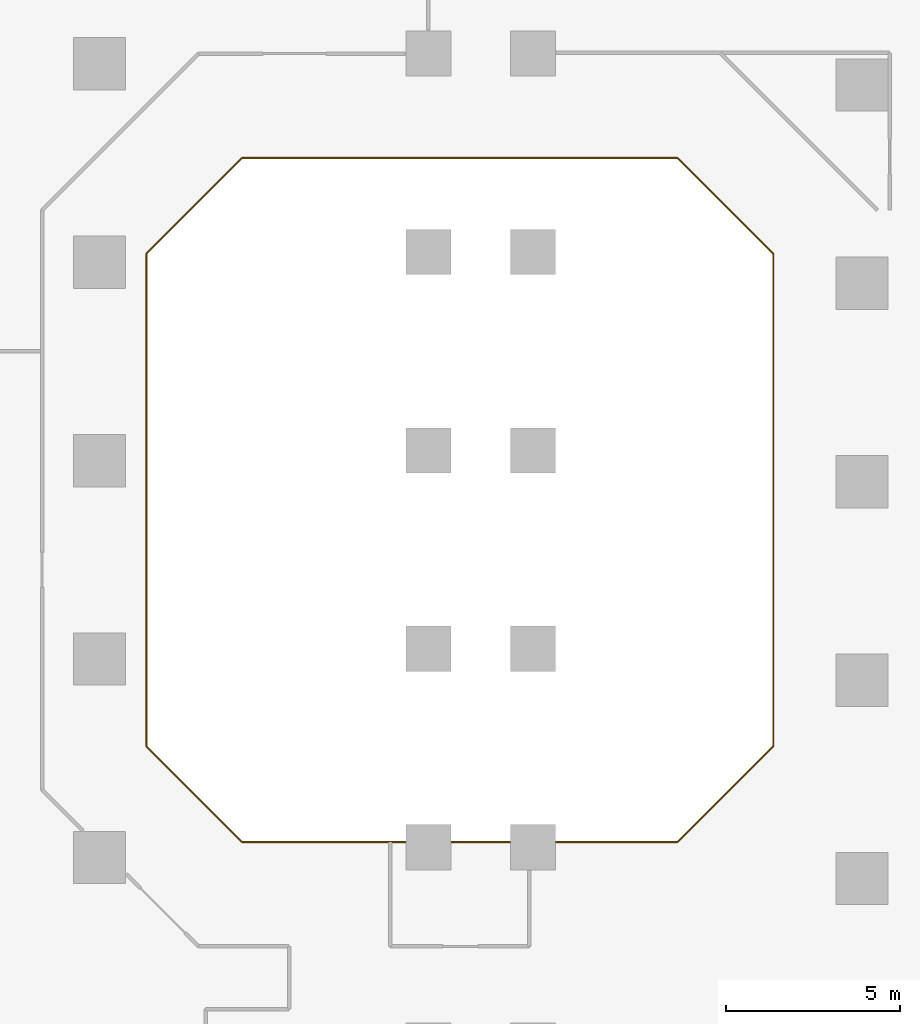
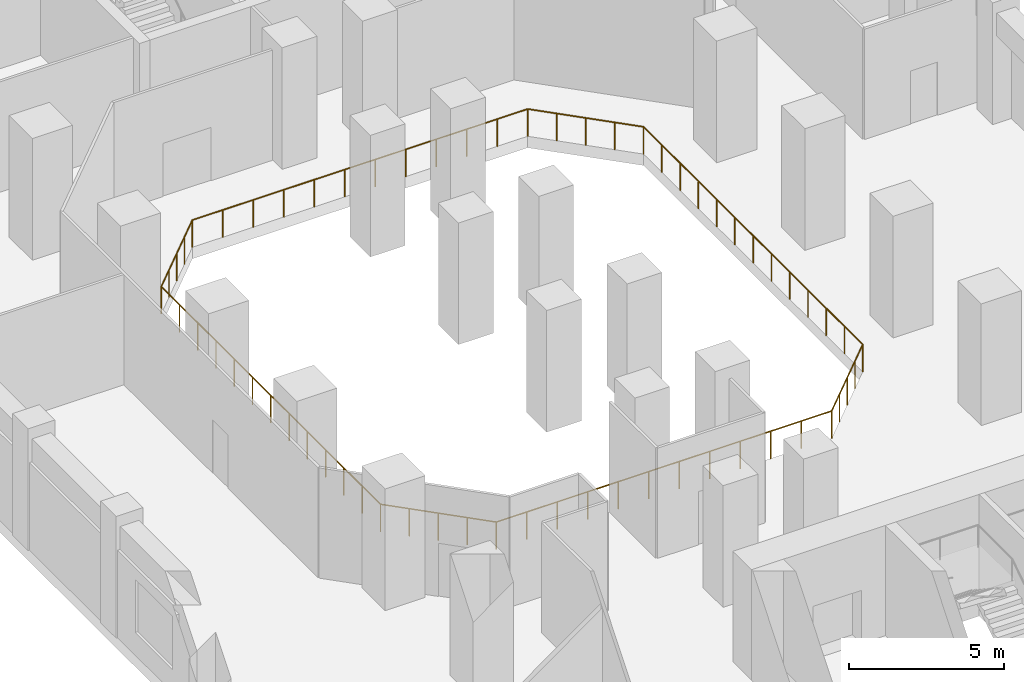
# One storey, part 14 of 16: 1 railing.
"""IFC4 building model written with IfcOpenShell, lengths in metres."""

import ifcopenshell
import ifcopenshell.guid

model = None  # the IFC model being written
_history = None  # IfcOwnerHistory: only IFC2X3 demands one
_inside = {}  # id of a spatial element -> (the spatial element, [elements in it])
_under = {}  # id of a project, library or spatial element -> (it, [spatial elements below it])
_declared = {}  # id of a project -> (the project, [libraries it declares])
_typed = {}  # id of a type object -> (the type object, [elements of that type])
_made_of = {}  # id of a material, layer set ... -> (it, [elements and type objects made of it])


def new_model(schema):
    """Start an empty IFC model of exactly this schema.

    Asked for "IFC4X3", IfcOpenShell would pick the latest addendum, in which some entities
    have other attributes; the version numbers below select the first issue.
    IFC2X3 requires an IfcOwnerHistory on every rooted entity: one is made here for all.
    """
    global model, _history
    if schema == "IFC4X3":
        model = ifcopenshell.file(schema_version=(4, 3, 0, 0))
    else:
        model = ifcopenshell.file(schema=schema)
    _inside.clear()
    _under.clear()
    _declared.clear()
    _typed.clear()
    _made_of.clear()
    _history = None
    if model.schema == "IFC2X3":
        org = make("IfcOrganization", Name="unknown")
        user = make(
            "IfcPersonAndOrganization",
            ThePerson=make("IfcPerson", FamilyName="unknown"),
            TheOrganization=org,
        )
        app = make(
            "IfcApplication",
            ApplicationDeveloper=org,
            Version="unknown",
            ApplicationFullName="unknown",
            ApplicationIdentifier="unknown",
        )
        _history = make(
            "IfcOwnerHistory",
            OwningUser=user,
            OwningApplication=app,
            ChangeAction="ADDED",
            CreationDate=0,
        )
    return model


def make(cls, **values):
    """One entity of the class cls with the attributes given. An attribute that is None is left unset."""
    return model.create_entity(
        cls, **{name: value for name, value in values.items() if value is not None}
    )


def rooted(cls, **values):
    """An entity with a GlobalId (a new one), such as an element, a storey or a relation."""
    return make(cls, GlobalId=ifcopenshell.guid.new(), OwnerHistory=_history, **values)


def si_unit(unit_type, name, prefix=None):
    """IfcSIUnit, for example si_unit("LENGTHUNIT", "METRE", prefix="MILLI")."""
    return make("IfcSIUnit", UnitType=unit_type, Prefix=prefix, Name=name)


def assignment(units):
    """IfcUnitAssignment: the units of a project."""
    return None if units is None else make("IfcUnitAssignment", Units=units)


def point(xyz):
    """IfcCartesianPoint."""
    return None if xyz is None else make("IfcCartesianPoint", Coordinates=xyz)


def direction(xyz):
    """IfcDirection."""
    return None if xyz is None else make("IfcDirection", DirectionRatios=xyz)


def frame(location, z_axis=None, x_axis=None):
    """IfcAxis2Placement3D, a coordinate frame: its origin and axes. An axis left out is left unset."""
    return make(
        "IfcAxis2Placement3D",
        Location=point(location),
        Axis=direction(z_axis),
        RefDirection=direction(x_axis),
    )


def frame_2d(location, x_axis=None):
    """IfcAxis2Placement2D, a coordinate frame in the plane: its origin and x axis."""
    return make(
        "IfcAxis2Placement2D", Location=point(location), RefDirection=direction(x_axis)
    )


def origin():
    """The frame at (0, 0, 0) with its axes left unset."""
    return frame((0.0, 0.0, 0.0))


def origin_2d():
    """The frame at (0, 0) in the plane with its x axis left unset."""
    return frame_2d((0.0, 0.0))


def place(relative_to, where):
    """IfcLocalPlacement: puts the frame where relative to a parent placement (None: the world)."""
    return make(
        "IfcLocalPlacement", PlacementRelTo=relative_to, RelativePlacement=where
    )


def context(
    kind, dimensions, precision=None, world=None, true_north=None, identifier=None
):
    """IfcGeometricRepresentationContext, for example the 3D "Model" context."""
    return make(
        "IfcGeometricRepresentationContext",
        ContextIdentifier=identifier,
        ContextType=kind,
        CoordinateSpaceDimension=dimensions,
        Precision=precision,
        WorldCoordinateSystem=world,
        TrueNorth=true_north,
    )


def subcontext(parent, identifier, kind, view, scale=None):
    """IfcGeometricRepresentationSubContext, for example "Body" below "Model"."""
    return make(
        "IfcGeometricRepresentationSubContext",
        ContextIdentifier=identifier,
        ContextType=kind,
        ParentContext=parent,
        TargetScale=scale,
        TargetView=view,
    )


def project(units=None, contexts=None):
    """IfcProject with its units and contexts."""
    return rooted(
        "IfcProject",
        Name="project",
        RepresentationContexts=contexts,
        UnitsInContext=assignment(units),
    )


def spatial(cls, under=None, at=None, **own):
    """A site, building, storey or space (cls), placed at a placement, below another one or the project."""
    s = rooted(cls, ObjectPlacement=at, **own)
    if under is not None:
        _under.setdefault(under.id(), (under, []))[1].append(s)
    return s


def profile(cls, at=None, kind="AREA", **sizes):
    """A parametric profile (cls). Its sizes go by their IFC names, for example OverallWidth=200.0."""
    return make(cls, ProfileType=kind, Position=at, **sizes)


def circle(**sizes):
    """IfcCircleProfileDef."""
    return profile("IfcCircleProfileDef", **sizes)


def extrude(swept, where, along, depth):
    """IfcExtrudedAreaSolid: the profile swept, set in the frame where, extruded along a direction by depth."""
    return make(
        "IfcExtrudedAreaSolid",
        SweptArea=swept,
        Position=where,
        ExtrudedDirection=direction(along),
        Depth=depth,
    )


def shape(context_of_items, identifier, shape_type, items):
    """IfcShapeRepresentation: the items that make up one representation, for example the "Body"."""
    return make(
        "IfcShapeRepresentation",
        ContextOfItems=context_of_items,
        RepresentationIdentifier=identifier,
        RepresentationType=shape_type,
        Items=items,
    )


def material(Name=None, Category=None):
    """IfcMaterial."""
    return make("IfcMaterial", Name=Name, Category=Category)


def made_of(thing, what):
    """Note that an element or type object is made of a material, layer set ...; save() writes the relation."""
    if what is not None:
        _made_of.setdefault(what.id(), (what, []))[1].append(thing)
    return thing


def type_object(cls, material=None, **own):
    """A type object (cls), such as IfcWallType, which elements share."""
    return made_of(rooted(cls, **own), material)


def element(
    cls,
    number,
    at=None,
    inside=None,
    cuts=None,
    type_object=None,
    material=None,
    context=None,
    identifier="Body",
    shape_type=None,
    held_by="IfcProductDefinitionShape",
    body=None,
    shapes=None,
    **own,
):
    """One element of the class cls, such as IfcWall. Its Tag is "e" and its number.

    at: its placement. inside: the storey or other place that contains it. cuts: it is an
    opening in that element (IfcRelVoidsElement). A single representation is given by context,
    identifier, shape_type and body (its items); several are given by shapes. held_by: the class
    of the entity that holds the representations. save() writes the other relations.
    """
    e = rooted(cls, Tag="e%d" % number, ObjectPlacement=at, **own)
    if body is not None:
        shapes = [shape(context, identifier, shape_type, body)]
    if shapes is not None:
        e.Representation = make(held_by, Representations=shapes)
    if inside is not None:
        _inside.setdefault(inside.id(), (inside, []))[1].append(e)
    if cuts is not None:
        rooted(
            "IfcRelVoidsElement", RelatingBuildingElement=cuts, RelatedOpeningElement=e
        )
    if type_object is not None:
        _typed.setdefault(type_object.id(), (type_object, []))[1].append(e)
    return made_of(e, material)


def aggregate(whole, parts):
    """IfcRelAggregates: a whole, such as a stair, and the parts it consists of."""
    return rooted("IfcRelAggregates", RelatingObject=whole, RelatedObjects=parts)


def save(model, path):
    """Write the relations noted so far, then the file.

    IfcRelAggregates (storeys below a building ...), IfcRelContainedInSpatialStructure (elements
    in a storey), IfcRelDefinesByType, IfcRelAssociatesMaterial and IfcRelDeclares: one each for
    every whole, place, type object, material and project.
    """
    for whole, parts in _under.values():
        aggregate(whole, parts)
    for where, things in _inside.values():
        rooted(
            "IfcRelContainedInSpatialStructure",
            RelatedElements=things,
            RelatingStructure=where,
        )
    for kind, things in _typed.values():
        rooted("IfcRelDefinesByType", RelatedObjects=things, RelatingType=kind)
    for what, things in _made_of.values():
        rooted("IfcRelAssociatesMaterial", RelatedObjects=things, RelatingMaterial=what)
    for by, libraries in _declared.values():
        rooted("IfcRelDeclares", RelatingContext=by, RelatedDefinitions=libraries)
    model.write(path)


model = new_model("IFC4")

# Units and contexts
model_context = context("Model", 3, precision=1e-05, world=origin(), true_north=direction((0.0, 1.0)))
body_context = subcontext(model_context, "Body", "Model", "MODEL_VIEW")
ifc_project = project(units=[si_unit("LENGTHUNIT", "METRE"), si_unit("AREAUNIT", "SQUARE_METRE"), si_unit("VOLUMEUNIT", "CUBIC_METRE"), si_unit("PLANEANGLEUNIT", "RADIAN"), si_unit("MASSUNIT", "GRAM", prefix="KILO")], contexts=[model_context])

# Site, building, storey
site_placement = place(None, origin())
site = spatial("IfcSite", under=ifc_project, at=site_placement, CompositionType="ELEMENT")
building_placement = place(site_placement, origin())
building = spatial("IfcBuilding", under=site, at=building_placement, Name="Meshkara Civic Tower", CompositionType="ELEMENT")
storey_placement = place(building_placement, frame((0.0, 0.0, 18.60009765625)))
storey = spatial("IfcBuildingStorey", under=building, at=storey_placement, Name="L03", CompositionType="ELEMENT", Elevation=18.60009765625)

# Railing
ifc_material = material(Name="Steel S355", Category="steel")
railing_type = type_object("IfcRailingType", Name="VOID GUARD 1100", PredefinedType="GUARDRAIL", material=ifc_material)
railing_placement = place(storey_placement, frame((17.056884765625, 46.199951171875, 0.0)))
element("IfcRailing", 1, at=railing_placement, inside=storey, type_object=railing_type, Name="Gallery guard", PredefinedType="GUARDRAIL", context=body_context, shape_type="SweptSolid", body=[
    extrude(circle(Radius=0.02392578125, at=origin_2d()), frame((0.0, 0.0, 1.076171875), z_axis=(0.707106781187, 0.707106781187, 0.0), x_axis=(-0.707106781187, 0.707106781187, 0.0)), (0.0, 0.0, 1.0), 3.87939453125),
    extrude(circle(Radius=0.02392578125, at=origin_2d()), frame((2.7431640625, 2.7431640625, 1.076171875), z_axis=(0.0, 1.0, 0.0), x_axis=(-1.0, 0.0, 0.0)), (0.0, 0.0, 1.0), 14.163818359375),
    extrude(circle(Radius=0.02392578125, at=origin_2d()), frame((2.7431640625, 16.906982421875, 1.076171875), z_axis=(-0.707106781187, 0.707106781187, 0.0), x_axis=(-0.707106781187, -0.707106781187, 0.0)), (0.0, 0.0, 1.0), 3.87939453125),
    extrude(circle(Radius=0.02392578125, at=origin_2d()), frame((0.0, 19.650146484375, 1.076171875), z_axis=(-1.0, 0.0, 0.0), x_axis=(0.0, -1.0, 0.0)), (0.0, 0.0, 1.0), 12.513916015625),
    extrude(circle(Radius=0.02392578125, at=origin_2d()), frame((-12.513916015625, 19.650146484375, 1.076171875), z_axis=(-0.70707531296, -0.707138248013, 0.0), x_axis=(0.707138248013, -0.70707531296, 0.0)), (0.0, 0.0, 1.0), 3.879150390625),
    extrude(circle(Radius=0.02392578125, at=origin_2d()), frame((-15.2568359375, 16.906982421875, 1.076171875), z_axis=(0.0, -1.0, 0.0), x_axis=(1.0, 0.0, 0.0)), (0.0, 0.0, 1.0), 14.163818359375),
    extrude(circle(Radius=0.02392578125, at=origin_2d()), frame((-15.2568359375, 2.7431640625, 1.076171875), z_axis=(0.70707531296, -0.707138248013, 0.0), x_axis=(0.707138248013, 0.70707531296, 0.0)), (0.0, 0.0, 1.0), 3.879150390625),
    extrude(circle(Radius=0.02392578125, at=origin_2d()), frame((-12.513916015625, 0.0, 1.076171875), z_axis=(1.0, 0.0, 0.0), x_axis=(0.0, 1.0, 0.0)), (0.0, 0.0, 1.0), 12.513916015625),
    extrude(circle(Radius=0.02099609375, at=origin_2d()), origin(), (0.0, 0.0, 1.0), 1.052001953125),
    extrude(circle(Radius=0.02099609375, at=origin_2d()), frame((0.685791015625, 0.685791015625, 0.0)), (0.0, 0.0, 1.0), 1.052001953125),
    extrude(circle(Radius=0.02099609375, at=origin_2d()), frame((1.37158203125, 1.37158203125, 0.0)), (0.0, 0.0, 1.0), 1.052001953125),
    extrude(circle(Radius=0.02099609375, at=origin_2d()), frame((2.057373046875, 2.057373046875, 0.0)), (0.0, 0.0, 1.0), 1.052001953125),
    extrude(circle(Radius=0.02099609375, at=origin_2d()), frame((2.7431640625, 2.7431640625, 0.0)), (0.0, 0.0, 1.0), 1.052001953125),
    extrude(circle(Radius=0.02099609375, at=origin_2d()), frame((2.7431640625, 3.923583984375, 0.0)), (0.0, 0.0, 1.0), 1.052001953125),
    extrude(circle(Radius=0.02099609375, at=origin_2d()), frame((2.7431640625, 5.103759765625, 0.0)), (0.0, 0.0, 1.0), 1.052001953125),
    extrude(circle(Radius=0.02099609375, at=origin_2d()), frame((2.7431640625, 6.2841796875, 0.0)), (0.0, 0.0, 1.0), 1.052001953125),
    extrude(circle(Radius=0.02099609375, at=origin_2d()), frame((2.7431640625, 7.46435546875, 0.0)), (0.0, 0.0, 1.0), 1.052001953125),
    extrude(circle(Radius=0.02099609375, at=origin_2d()), frame((2.7431640625, 8.644775390625, 0.0)), (0.0, 0.0, 1.0), 1.052001953125),
    extrude(circle(Radius=0.02099609375, at=origin_2d()), frame((2.7431640625, 9.8251953125, 0.0)), (0.0, 0.0, 1.0), 1.052001953125),
    extrude(circle(Radius=0.02099609375, at=origin_2d()), frame((2.7431640625, 11.00537109375, 0.0)), (0.0, 0.0, 1.0), 1.052001953125),
    extrude(circle(Radius=0.02099609375, at=origin_2d()), frame((2.7431640625, 12.185791015625, 0.0)), (0.0, 0.0, 1.0), 1.052001953125),
    extrude(circle(Radius=0.02099609375, at=origin_2d()), frame((2.7431640625, 13.365966796875, 0.0)), (0.0, 0.0, 1.0), 1.052001953125),
    extrude(circle(Radius=0.02099609375, at=origin_2d()), frame((2.7431640625, 14.54638671875, 0.0)), (0.0, 0.0, 1.0), 1.052001953125),
    extrude(circle(Radius=0.02099609375, at=origin_2d()), frame((2.7431640625, 15.7265625, 0.0)), (0.0, 0.0, 1.0), 1.052001953125),
    extrude(circle(Radius=0.02099609375, at=origin_2d()), frame((2.7431640625, 16.906982421875, 0.0)), (0.0, 0.0, 1.0), 1.052001953125),
    extrude(circle(Radius=0.02099609375, at=origin_2d()), frame((2.057373046875, 17.5927734375, 0.0)), (0.0, 0.0, 1.0), 1.052001953125),
    extrude(circle(Radius=0.02099609375, at=origin_2d()), frame((1.37158203125, 18.278564453125, 0.0)), (0.0, 0.0, 1.0), 1.052001953125),
    extrude(circle(Radius=0.02099609375, at=origin_2d()), frame((0.685791015625, 18.96435546875, 0.0)), (0.0, 0.0, 1.0), 1.052001953125),
    extrude(circle(Radius=0.02099609375, at=origin_2d()), frame((0.0, 19.650146484375, 0.0)), (0.0, 0.0, 1.0), 1.052001953125),
    extrude(circle(Radius=0.02099609375, at=origin_2d()), frame((-1.1376953125, 19.650146484375, 0.0)), (0.0, 0.0, 1.0), 1.052001953125),
    extrude(circle(Radius=0.02099609375, at=origin_2d()), frame((-2.275146484375, 19.650146484375, 0.0)), (0.0, 0.0, 1.0), 1.052001953125),
    extrude(circle(Radius=0.02099609375, at=origin_2d()), frame((-3.412841796875, 19.650146484375, 0.0)), (0.0, 0.0, 1.0), 1.052001953125),
    extrude(circle(Radius=0.02099609375, at=origin_2d()), frame((-4.550537109375, 19.650146484375, 0.0)), (0.0, 0.0, 1.0), 1.052001953125),
    extrude(circle(Radius=0.02099609375, at=origin_2d()), frame((-5.688232421875, 19.650146484375, 0.0)), (0.0, 0.0, 1.0), 1.052001953125),
    extrude(circle(Radius=0.02099609375, at=origin_2d()), frame((-6.82568359375, 19.650146484375, 0.0)), (0.0, 0.0, 1.0), 1.052001953125),
    extrude(circle(Radius=0.02099609375, at=origin_2d()), frame((-7.96337890625, 19.650146484375, 0.0)), (0.0, 0.0, 1.0), 1.052001953125),
    extrude(circle(Radius=0.02099609375, at=origin_2d()), frame((-9.10107421875, 19.650146484375, 0.0)), (0.0, 0.0, 1.0), 1.052001953125),
    extrude(circle(Radius=0.02099609375, at=origin_2d()), frame((-10.23876953125, 19.650146484375, 0.0)), (0.0, 0.0, 1.0), 1.052001953125),
    extrude(circle(Radius=0.02099609375, at=origin_2d()), frame((-11.376220703125, 19.650146484375, 0.0)), (0.0, 0.0, 1.0), 1.052001953125),
    extrude(circle(Radius=0.02099609375, at=origin_2d()), frame((-12.513916015625, 19.650146484375, 0.0)), (0.0, 0.0, 1.0), 1.052001953125),
    extrude(circle(Radius=0.02099609375, at=origin_2d()), frame((-13.19970703125, 18.96435546875, 0.0)), (0.0, 0.0, 1.0), 1.052001953125),
    extrude(circle(Radius=0.02099609375, at=origin_2d()), frame((-13.88525390625, 18.278564453125, 0.0)), (0.0, 0.0, 1.0), 1.052001953125),
    extrude(circle(Radius=0.02099609375, at=origin_2d()), frame((-14.571044921875, 17.5927734375, 0.0)), (0.0, 0.0, 1.0), 1.052001953125),
    extrude(circle(Radius=0.02099609375, at=origin_2d()), frame((-15.2568359375, 16.906982421875, 0.0)), (0.0, 0.0, 1.0), 1.052001953125),
    extrude(circle(Radius=0.02099609375, at=origin_2d()), frame((-15.2568359375, 15.7265625, 0.0)), (0.0, 0.0, 1.0), 1.052001953125),
    extrude(circle(Radius=0.02099609375, at=origin_2d()), frame((-15.2568359375, 14.54638671875, 0.0)), (0.0, 0.0, 1.0), 1.052001953125),
    extrude(circle(Radius=0.02099609375, at=origin_2d()), frame((-15.2568359375, 13.365966796875, 0.0)), (0.0, 0.0, 1.0), 1.052001953125),
    extrude(circle(Radius=0.02099609375, at=origin_2d()), frame((-15.2568359375, 12.185791015625, 0.0)), (0.0, 0.0, 1.0), 1.052001953125),
    extrude(circle(Radius=0.02099609375, at=origin_2d()), frame((-15.2568359375, 11.00537109375, 0.0)), (0.0, 0.0, 1.0), 1.052001953125),
    extrude(circle(Radius=0.02099609375, at=origin_2d()), frame((-15.2568359375, 9.8251953125, 0.0)), (0.0, 0.0, 1.0), 1.052001953125),
    extrude(circle(Radius=0.02099609375, at=origin_2d()), frame((-15.2568359375, 8.644775390625, 0.0)), (0.0, 0.0, 1.0), 1.052001953125),
    extrude(circle(Radius=0.02099609375, at=origin_2d()), frame((-15.2568359375, 7.46435546875, 0.0)), (0.0, 0.0, 1.0), 1.052001953125),
    extrude(circle(Radius=0.02099609375, at=origin_2d()), frame((-15.2568359375, 6.2841796875, 0.0)), (0.0, 0.0, 1.0), 1.052001953125),
    extrude(circle(Radius=0.02099609375, at=origin_2d()), frame((-15.2568359375, 5.103759765625, 0.0)), (0.0, 0.0, 1.0), 1.052001953125),
    extrude(circle(Radius=0.02099609375, at=origin_2d()), frame((-15.2568359375, 3.923583984375, 0.0)), (0.0, 0.0, 1.0), 1.052001953125),
    extrude(circle(Radius=0.02099609375, at=origin_2d()), frame((-15.2568359375, 2.7431640625, 0.0)), (0.0, 0.0, 1.0), 1.052001953125),
    extrude(circle(Radius=0.02099609375, at=origin_2d()), frame((-14.571044921875, 2.057373046875, 0.0)), (0.0, 0.0, 1.0), 1.052001953125),
    extrude(circle(Radius=0.02099609375, at=origin_2d()), frame((-13.88525390625, 1.37158203125, 0.0)), (0.0, 0.0, 1.0), 1.052001953125),
    extrude(circle(Radius=0.02099609375, at=origin_2d()), frame((-13.19970703125, 0.685791015625, 0.0)), (0.0, 0.0, 1.0), 1.052001953125),
    extrude(circle(Radius=0.02099609375, at=origin_2d()), frame((-12.513916015625, 0.0, 0.0)), (0.0, 0.0, 1.0), 1.052001953125),
    extrude(circle(Radius=0.02099609375, at=origin_2d()), frame((-11.376220703125, 0.0, 0.0)), (0.0, 0.0, 1.0), 1.052001953125),
    extrude(circle(Radius=0.02099609375, at=origin_2d()), frame((-10.23876953125, 0.0, 0.0)), (0.0, 0.0, 1.0), 1.052001953125),
    extrude(circle(Radius=0.02099609375, at=origin_2d()), frame((-9.10107421875, 0.0, 0.0)), (0.0, 0.0, 1.0), 1.052001953125),
    extrude(circle(Radius=0.02099609375, at=origin_2d()), frame((-7.96337890625, 0.0, 0.0)), (0.0, 0.0, 1.0), 1.052001953125),
    extrude(circle(Radius=0.02099609375, at=origin_2d()), frame((-6.82568359375, 0.0, 0.0)), (0.0, 0.0, 1.0), 1.052001953125),
    extrude(circle(Radius=0.02099609375, at=origin_2d()), frame((-5.688232421875, 0.0, 0.0)), (0.0, 0.0, 1.0), 1.052001953125),
    extrude(circle(Radius=0.02099609375, at=origin_2d()), frame((-4.550537109375, 0.0, 0.0)), (0.0, 0.0, 1.0), 1.052001953125),
    extrude(circle(Radius=0.02099609375, at=origin_2d()), frame((-3.412841796875, 0.0, 0.0)), (0.0, 0.0, 1.0), 1.052001953125),
    extrude(circle(Radius=0.02099609375, at=origin_2d()), frame((-2.275146484375, 0.0, 0.0)), (0.0, 0.0, 1.0), 1.052001953125),
    extrude(circle(Radius=0.02099609375, at=origin_2d()), frame((-1.1376953125, 0.0, 0.0)), (0.0, 0.0, 1.0), 1.052001953125),
])

save(model, "model.ifc")
